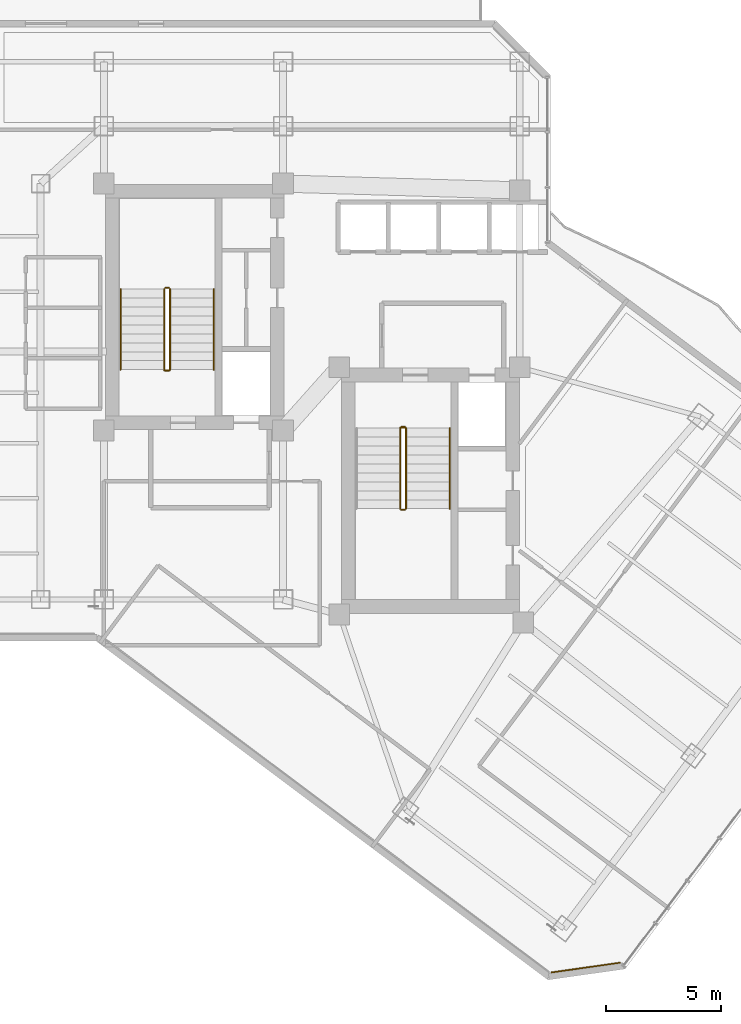
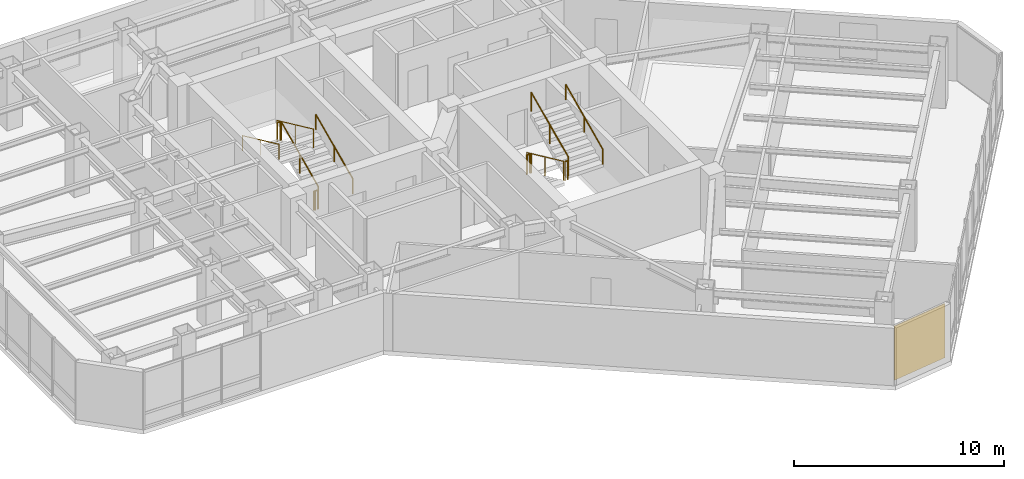
# One storey, part 25 of 26: 13 railings, 1 covering.
"""IFC4 building model written with IfcOpenShell, lengths in metres."""

from ifc_helpers import new_model, si_unit, direction, frame, origin, origin_2d, place, context, subcontext, project, spatial, rectangle, circle, extrude, material, layer, layer_set, type_object, element, save


model = new_model("IFC4")

# Units and contexts
model_context = context("Model", 3, precision=1e-05, world=origin(), true_north=direction((0.0, 1.0)))
body_context = subcontext(model_context, "Body", "Model", "MODEL_VIEW")
ifc_project = project(units=[si_unit("LENGTHUNIT", "METRE"), si_unit("AREAUNIT", "SQUARE_METRE"), si_unit("VOLUMEUNIT", "CUBIC_METRE"), si_unit("PLANEANGLEUNIT", "RADIAN"), si_unit("MASSUNIT", "GRAM", prefix="KILO")], contexts=[model_context])

# Site, building, storey
site_placement = place(None, origin())
site = spatial("IfcSite", under=ifc_project, at=site_placement, CompositionType="ELEMENT")
building_placement = place(site_placement, origin())
building = spatial("IfcBuilding", under=site, at=building_placement, Name="Hatsunagi Terrace Concourse", CompositionType="ELEMENT")
storey_placement = place(building_placement, frame((0.0, 0.0, 152.85009765625)))
storey = spatial("IfcBuildingStorey", under=building, at=storey_placement, Name="L40", CompositionType="ELEMENT", Elevation=152.85009765625)

# Railings
ifc_material_1 = material(Name="Stainless steel", Category="steel")
ifc_layer_1 = layer(ifc_material_1, 0.044921875)
ifc_layer_set_1 = layer_set([ifc_layer_1], Name="StairPitchHandrail_Tower2000")
railing_type_1 = type_object("IfcRailingType", Name="StairPitchHandrail_Tower2000", PredefinedType="HANDRAIL", material=ifc_layer_set_1)
railing_1_placement = place(storey_placement, frame((30.330078125, 35.199951171875, 0.179931640625)))
element("IfcRailing", 1, at=railing_1_placement, inside=storey, type_object=railing_type_1, Name="L40 ST-A stair handrail 1", PredefinedType="HANDRAIL", context=body_context, shape_type="SweptSolid", body=[
    extrude(circle(Radius=0.02392578125, at=origin_2d()), frame((0.0, 0.0, 0.8759765625), z_axis=(0.0, 0.907972323039, 0.419030142823), x_axis=(-1.0, 0.0, 0.0)), (0.0, 0.0, 1.0), 3.86572265625),
    extrude(circle(Radius=0.02099609375, at=origin_2d()), origin(), (0.0, 0.0, 1.0), 0.851806640625),
    extrude(circle(Radius=0.02099609375, at=origin_2d()), frame((0.0, 1.7548828125, 0.81005859375)), (0.0, 0.0, 1.0), 0.851806640625),
    extrude(circle(Radius=0.02099609375, at=origin_2d()), frame((0.0, 3.510009765625, 1.619873046875)), (0.0, 0.0, 1.0), 0.851806640625),
])
railing_2_placement = place(storey_placement, frame((26.280029296875, 38.7099609375, 1.97998046875)))
element("IfcRailing", 2, at=railing_2_placement, inside=storey, type_object=railing_type_1, Name="L40 ST-A stair handrail 2", PredefinedType="HANDRAIL", context=body_context, shape_type="SweptSolid", body=[
    extrude(circle(Radius=0.02392578125, at=origin_2d()), frame((0.0, 0.0, 0.8759765625), z_axis=(0.0, -0.907972323039, 0.419030142823), x_axis=(1.0, 0.0, 0.0)), (0.0, 0.0, 1.0), 3.86572265625),
    extrude(circle(Radius=0.02099609375, at=origin_2d()), origin(), (0.0, 0.0, 1.0), 0.851806640625),
    extrude(circle(Radius=0.02099609375, at=origin_2d()), frame((0.0, -1.7548828125, 0.81005859375)), (0.0, 0.0, 1.0), 0.851806640625),
    extrude(circle(Radius=0.02099609375, at=origin_2d()), frame((0.0, -3.510009765625, 1.619873046875)), (0.0, 0.0, 1.0), 0.851806640625),
])
railing_3_placement = place(storey_placement, frame((40.60009765625, 29.14990234375, 1.97998046875)))
element("IfcRailing", 3, at=railing_3_placement, inside=storey, type_object=railing_type_1, Name="L40 ST-B stair handrail 2", PredefinedType="HANDRAIL", context=body_context, shape_type="SweptSolid", body=[
    extrude(circle(Radius=0.02392578125, at=origin_2d()), frame((0.0, 0.0, 0.8759765625), z_axis=(0.0, 0.907972323039, 0.419030142823), x_axis=(-1.0, 0.0, 0.0)), (0.0, 0.0, 1.0), 3.86572265625),
    extrude(circle(Radius=0.02099609375, at=origin_2d()), origin(), (0.0, 0.0, 1.0), 0.851806640625),
    extrude(circle(Radius=0.02099609375, at=origin_2d()), frame((0.0, 1.7548828125, 0.81005859375)), (0.0, 0.0, 1.0), 0.851806640625),
    extrude(circle(Radius=0.02099609375, at=origin_2d()), frame((0.0, 3.510009765625, 1.619873046875)), (0.0, 0.0, 1.0), 0.851806640625),
])
ifc_material_2 = material(Name="Stainless steel", Category="steel")
ifc_layer_2 = layer(ifc_material_2, 0.06005859375)
ifc_layer_set_2 = layer_set([ifc_layer_2], Name="StairWellGuard_Tower2000")
railing_type_2 = type_object("IfcRailingType", Name="StairWellGuard_Tower2000", PredefinedType="BALUSTRADE", material=ifc_layer_set_2)
railing_4_placement = place(storey_placement, frame((28.429931640625, 35.199951171875, 0.179931640625)))
element("IfcRailing", 4, at=railing_4_placement, inside=storey, type_object=railing_type_2, Name="L40 ST-A stair guard 1", PredefinedType="BALUSTRADE", context=body_context, shape_type="SweptSolid", body=[
    extrude(circle(Radius=0.02392578125, at=origin_2d()), frame((0.0, 0.0, 1.09619140625), z_axis=(0.0, 0.907972323039, 0.419030142823), x_axis=(-1.0, 0.0, 0.0)), (0.0, 0.0, 1.0), 3.86572265625),
    extrude(circle(Radius=0.02099609375, at=origin_2d()), origin(), (0.0, 0.0, 1.0), 1.072021484375),
    extrude(circle(Radius=0.02099609375, at=origin_2d()), frame((0.0, 1.7548828125, 0.81005859375)), (0.0, 0.0, 1.0), 1.072021484375),
    extrude(circle(Radius=0.02099609375, at=origin_2d()), frame((0.0, 3.510009765625, 1.619873046875)), (0.0, 0.0, 1.0), 1.072021484375),
])
railing_5_placement = place(storey_placement, frame((28.3798828125, 38.760009765625, 1.7998046875)))
element("IfcRailing", 5, at=railing_5_placement, inside=storey, type_object=railing_type_2, Name="L40 ST-A stair guard 2", PredefinedType="BALUSTRADE", context=body_context, shape_type="SweptSolid", body=[
    extrude(circle(Radius=0.02392578125, at=origin_2d()), frame((0.0, 0.0, 1.09619140625), z_axis=(-1.0, 0.0, 0.0), x_axis=(0.0, -1.0, 0.0)), (0.0, 0.0, 1.0), 0.14990234375),
    extrude(circle(Radius=0.02099609375, at=origin_2d()), origin(), (0.0, 0.0, 1.0), 1.072021484375),
    extrude(circle(Radius=0.02099609375, at=origin_2d()), frame((-0.14990234375, 0.0, 0.0)), (0.0, 0.0, 1.0), 1.072021484375),
])
railing_6_placement = place(storey_placement, frame((28.179931640625, 38.7099609375, 1.97998046875)))
element("IfcRailing", 6, at=railing_6_placement, inside=storey, type_object=railing_type_2, Name="L40 ST-A stair guard 3", PredefinedType="BALUSTRADE", context=body_context, shape_type="SweptSolid", body=[
    extrude(circle(Radius=0.02392578125, at=origin_2d()), frame((0.0, 0.0, 1.09619140625), z_axis=(0.0, -0.907972323039, 0.419030142823), x_axis=(1.0, 0.0, 0.0)), (0.0, 0.0, 1.0), 3.86572265625),
    extrude(circle(Radius=0.02099609375, at=origin_2d()), origin(), (0.0, 0.0, 1.0), 1.072021484375),
    extrude(circle(Radius=0.02099609375, at=origin_2d()), frame((0.0, -1.7548828125, 0.81005859375)), (0.0, 0.0, 1.0), 1.072021484375),
    extrude(circle(Radius=0.02099609375, at=origin_2d()), frame((0.0, -3.510009765625, 1.619873046875)), (0.0, 0.0, 1.0), 1.072021484375),
])
railing_7_placement = place(storey_placement, frame((28.3798828125, 35.14990234375, 0.0)))
element("IfcRailing", 7, at=railing_7_placement, inside=storey, type_object=railing_type_2, Name="L40 ST-A stair guard 4", PredefinedType="BALUSTRADE", context=body_context, shape_type="SweptSolid", body=[
    extrude(circle(Radius=0.02392578125, at=origin_2d()), frame((0.0, 0.0, 1.09619140625), z_axis=(-1.0, 0.0, 0.0), x_axis=(0.0, -1.0, 0.0)), (0.0, 0.0, 1.0), 0.14990234375),
    extrude(circle(Radius=0.02099609375, at=origin_2d()), origin(), (0.0, 0.0, 1.0), 1.072021484375),
    extrude(circle(Radius=0.02099609375, at=origin_2d()), frame((-0.14990234375, 0.0, 0.0)), (0.0, 0.0, 1.0), 1.072021484375),
])
railing_8_placement = place(storey_placement, frame((38.449951171875, 32.659912109375, 0.179931640625)))
element("IfcRailing", 8, at=railing_8_placement, inside=storey, type_object=railing_type_2, Name="L40 ST-B stair guard 1", PredefinedType="BALUSTRADE", context=body_context, shape_type="SweptSolid", body=[
    extrude(circle(Radius=0.02392578125, at=origin_2d()), frame((0.0, 0.0, 1.09619140625), z_axis=(0.0, -0.907972323039, 0.419030142823), x_axis=(1.0, 0.0, 0.0)), (0.0, 0.0, 1.0), 3.86572265625),
    extrude(circle(Radius=0.02099609375, at=origin_2d()), origin(), (0.0, 0.0, 1.0), 1.072021484375),
    extrude(circle(Radius=0.02099609375, at=origin_2d()), frame((0.0, -1.7548828125, 0.81005859375)), (0.0, 0.0, 1.0), 1.072021484375),
    extrude(circle(Radius=0.02099609375, at=origin_2d()), frame((0.0, -3.510009765625, 1.619873046875)), (0.0, 0.0, 1.0), 1.072021484375),
])
railing_9_placement = place(storey_placement, frame((38.5, 29.10009765625, 1.7998046875)))
element("IfcRailing", 9, at=railing_9_placement, inside=storey, type_object=railing_type_2, Name="L40 ST-B stair guard 2", PredefinedType="BALUSTRADE", context=body_context, shape_type="SweptSolid", body=[
    extrude(circle(Radius=0.02392578125, at=origin_2d()), frame((0.0, 0.0, 1.09619140625), z_axis=(1.0, 0.0, 0.0), x_axis=(0.0, 1.0, 0.0)), (0.0, 0.0, 1.0), 0.14990234375),
    extrude(circle(Radius=0.02099609375, at=origin_2d()), origin(), (0.0, 0.0, 1.0), 1.072021484375),
    extrude(circle(Radius=0.02099609375, at=origin_2d()), frame((0.14990234375, 0.0, 0.0)), (0.0, 0.0, 1.0), 1.072021484375),
])
railing_10_placement = place(storey_placement, frame((38.699951171875, 29.14990234375, 1.97998046875)))
element("IfcRailing", 10, at=railing_10_placement, inside=storey, type_object=railing_type_2, Name="L40 ST-B stair guard 3", PredefinedType="BALUSTRADE", context=body_context, shape_type="SweptSolid", body=[
    extrude(circle(Radius=0.02392578125, at=origin_2d()), frame((0.0, 0.0, 1.09619140625), z_axis=(0.0, 0.907972323039, 0.419030142823), x_axis=(-1.0, 0.0, 0.0)), (0.0, 0.0, 1.0), 3.86572265625),
    extrude(circle(Radius=0.02099609375, at=origin_2d()), origin(), (0.0, 0.0, 1.0), 1.072021484375),
    extrude(circle(Radius=0.02099609375, at=origin_2d()), frame((0.0, 1.7548828125, 0.81005859375)), (0.0, 0.0, 1.0), 1.072021484375),
    extrude(circle(Radius=0.02099609375, at=origin_2d()), frame((0.0, 3.510009765625, 1.619873046875)), (0.0, 0.0, 1.0), 1.072021484375),
])
railing_11_placement = place(storey_placement, frame((38.5, 32.7099609375, 0.0)))
element("IfcRailing", 11, at=railing_11_placement, inside=storey, type_object=railing_type_2, Name="L40 ST-B stair guard 4", PredefinedType="BALUSTRADE", context=body_context, shape_type="SweptSolid", body=[
    extrude(circle(Radius=0.02392578125, at=origin_2d()), frame((0.0, 0.0, 1.09619140625), z_axis=(1.0, 0.0, 0.0), x_axis=(0.0, 1.0, 0.0)), (0.0, 0.0, 1.0), 0.14990234375),
    extrude(circle(Radius=0.02099609375, at=origin_2d()), origin(), (0.0, 0.0, 1.0), 1.072021484375),
    extrude(circle(Radius=0.02099609375, at=origin_2d()), frame((0.14990234375, 0.0, 0.0)), (0.0, 0.0, 1.0), 1.072021484375),
])
ifc_material_3 = material(Name="Stainless Steel SUS316 Post-and-Rail Guard", Category="steel")
ifc_layer_3 = layer(ifc_material_3, 0.080078125)
ifc_layer_set_3 = layer_set([ifc_layer_3], Name="TerracePlantedGuardRail_1200")
railing_type_3 = type_object("IfcRailingType", Name="TerracePlantedGuardRail_1200", PredefinedType="GUARDRAIL", material=ifc_layer_set_3)
for number, where, name in (
    (12, (28.179931640625, 35.179931640625, 0.0), "Stair ST-A Well Closure Guard L40"),
    (13, (38.449951171875, 32.679931640625, 0.0), "Stair ST-B Well Closure Guard L40"),
):
    element("IfcRailing", number, at=place(storey_placement, frame(where)), inside=storey, type_object=railing_type_3, Name=name, PredefinedType="GUARDRAIL", context=body_context, shape_type="SweptSolid", body=[
        extrude(circle(Radius=0.02392578125, at=origin_2d()), frame((0.0, 0.0, 1.09619140625), z_axis=(1.0, 0.0, 0.0), x_axis=(0.0, 1.0, 0.0)), (0.0, 0.0, 1.0), 0.25),
        extrude(circle(Radius=0.02099609375, at=origin_2d()), origin(), (0.0, 0.0, 1.0), 1.072021484375),
        extrude(circle(Radius=0.02099609375, at=origin_2d()), frame((0.25, 0.0, 0.0)), (0.0, 0.0, 1.0), 1.072021484375),
    ])

# Covering
ifc_material_4 = material(Name="Unglazed Warm Terracotta Rainscreen Tile", Category="masonry")
ifc_layer_4 = layer(ifc_material_4, 0.044921875)
ifc_layer_set_4 = layer_set([ifc_layer_4], Name="TerracottaRainscreenCladding_45")
covering_type = type_object("IfcCoveringType", Name="TerracottaRainscreenCladding_45", PredefinedType="CLADDING", material=ifc_layer_set_4)
covering_placement = place(storey_placement, frame((46.51806640625, 9.178955078125, 0.099853515625), z_axis=(0.0, 0.0, 1.0), x_axis=(-0.989973920543, -0.141250262458, 0.0)))
element("IfcCovering", 14, at=covering_placement, inside=storey, type_object=covering_type, Name="Terracotta Rainscreen Cladding L40-04", PredefinedType="CLADDING", context=body_context, shape_type="SweptSolid", body=[
    extrude(rectangle(XDim=3.0380859375, YDim=0.044921875, at=origin_2d()), origin(), (0.0, 0.0, 1.0), 3.14990234375),
])

save(model, "model.ifc")
